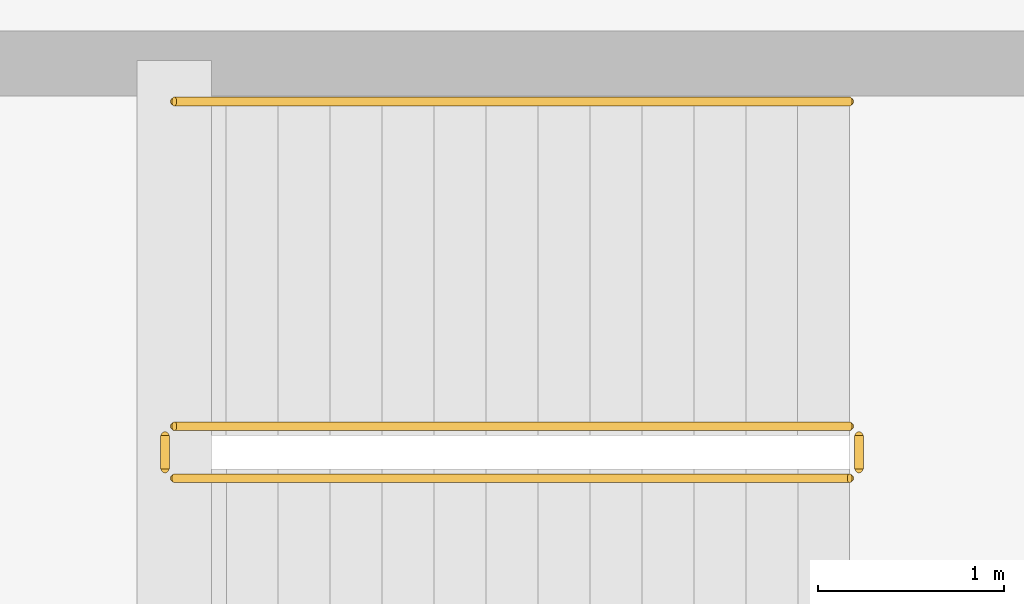
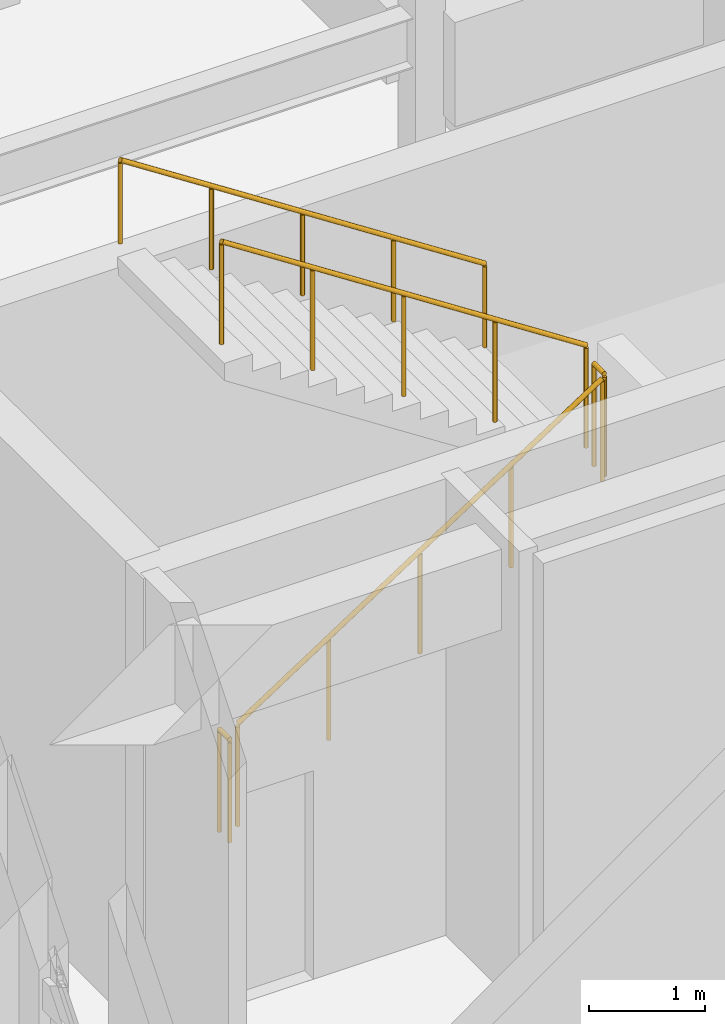
# One storey, part 77 of 78: 5 railings.
"""IFC4 building model written with IfcOpenShell, lengths in metres."""

from ifc_helpers import new_model, si_unit, direction, frame, origin, origin_2d, place, context, subcontext, project, spatial, circle, extrude, material, type_object, element, save


model = new_model("IFC4")

# Units and contexts
model_context = context("Model", 3, precision=1e-05, world=origin(), true_north=direction((0.0, 1.0)))
body_context = subcontext(model_context, "Body", "Model", "MODEL_VIEW")
ifc_project = project(units=[si_unit("LENGTHUNIT", "METRE"), si_unit("AREAUNIT", "SQUARE_METRE"), si_unit("VOLUMEUNIT", "CUBIC_METRE"), si_unit("PLANEANGLEUNIT", "RADIAN"), si_unit("MASSUNIT", "GRAM", prefix="KILO")], contexts=[model_context])

# Site, building, storey
site_placement = place(None, origin())
site = spatial("IfcSite", under=ifc_project, at=site_placement, CompositionType="ELEMENT")
building_placement = place(site_placement, origin())
building = spatial("IfcBuilding", under=site, at=building_placement, Name="Quendrovan Civic Courthouse", CompositionType="ELEMENT")
storey_placement = place(building_placement, frame((0.0, 0.0, 10.199951171875)))
storey = spatial("IfcBuildingStorey", under=building, at=storey_placement, Name="L03", CompositionType="ELEMENT", Elevation=10.199951171875)

# Railings
ifc_material_1 = material(Name="Painted galvanized steel", Category="steel")
railing_type_1 = type_object("IfcRailingType", Name="RL-STR-GUARD1100", PredefinedType="GUARDRAIL", material=ifc_material_1)
railing_1_placement = place(storey_placement, frame((113.25, 97.64990234375, 0.18212890625)))
element("IfcRailing", 1, at=railing_1_placement, inside=storey, type_object=railing_type_1, Name="L03 ST6 stair guard 1", PredefinedType="GUARDRAIL", context=body_context, shape_type="SweptSolid", body=[
    extrude(circle(Radius=0.02392578125, at=origin_2d()), frame((0.0, 0.0, 1.076171875), z_axis=(0.838234174257, 0.0, 0.545310433706), x_axis=(0.0, 1.0, 0.0)), (0.0, 0.0, 1.0), 4.34228515625),
    extrude(circle(Radius=0.02099609375, at=origin_2d()), origin(), (0.0, 0.0, 1.0), 1.052001953125),
    extrude(circle(Radius=0.02099609375, at=origin_2d()), frame((0.909912109375, 0.0, 0.592041015625)), (0.0, 0.0, 1.0), 1.052001953125),
    extrude(circle(Radius=0.02099609375, at=origin_2d()), frame((1.81982421875, 0.0, 1.18408203125)), (0.0, 0.0, 1.0), 1.052001953125),
    extrude(circle(Radius=0.02099609375, at=origin_2d()), frame((2.72998046875, 0.0, 1.77587890625)), (0.0, 0.0, 1.0), 1.052001953125),
    extrude(circle(Radius=0.02099609375, at=origin_2d()), frame((3.639892578125, 0.0, 2.367919921875)), (0.0, 0.0, 1.0), 1.052001953125),
])
railing_2_placement = place(storey_placement, frame((116.93994140625, 97.699951171875, 2.550048828125)))
element("IfcRailing", 2, at=railing_2_placement, inside=storey, type_object=railing_type_1, Name="L03 ST6 stair guard 2", PredefinedType="GUARDRAIL", context=body_context, shape_type="SweptSolid", body=[
    extrude(circle(Radius=0.02392578125, at=origin_2d()), frame((0.0, 0.0, 1.076171875), z_axis=(0.0, 1.0, 0.0), x_axis=(-1.0, 0.0, 0.0)), (0.0, 0.0, 1.0), 0.179931640625),
    extrude(circle(Radius=0.02099609375, at=origin_2d()), origin(), (0.0, 0.0, 1.0), 1.052001953125),
    extrude(circle(Radius=0.02099609375, at=origin_2d()), frame((0.0, 0.179931640625, 0.0)), (0.0, 0.0, 1.0), 1.052001953125),
])
railing_3_placement = place(storey_placement, frame((116.889892578125, 97.929931640625, 2.732177734375)))
element("IfcRailing", 3, at=railing_3_placement, inside=storey, type_object=railing_type_1, Name="L03 ST6 stair guard 3", PredefinedType="GUARDRAIL", context=body_context, shape_type="SweptSolid", body=[
    extrude(circle(Radius=0.02392578125, at=origin_2d()), frame((0.0, 0.0, 1.076171875), z_axis=(-0.838234174257, 0.0, 0.545310433706), x_axis=(0.0, -1.0, 0.0)), (0.0, 0.0, 1.0), 4.34228515625),
    extrude(circle(Radius=0.02099609375, at=origin_2d()), origin(), (0.0, 0.0, 1.0), 1.052001953125),
    extrude(circle(Radius=0.02099609375, at=origin_2d()), frame((-0.909912109375, 0.0, 0.592041015625)), (0.0, 0.0, 1.0), 1.052001953125),
    extrude(circle(Radius=0.02099609375, at=origin_2d()), frame((-1.81982421875, 0.0, 1.18408203125)), (0.0, 0.0, 1.0), 1.052001953125),
    extrude(circle(Radius=0.02099609375, at=origin_2d()), frame((-2.72998046875, 0.0, 1.77587890625)), (0.0, 0.0, 1.0), 1.052001953125),
    extrude(circle(Radius=0.02099609375, at=origin_2d()), frame((-3.639892578125, 0.0, 2.367919921875)), (0.0, 0.0, 1.0), 1.052001953125),
])
railing_4_placement = place(storey_placement, frame((113.199951171875, 97.699951171875, 0.0)))
element("IfcRailing", 4, at=railing_4_placement, inside=storey, type_object=railing_type_1, Name="L03 ST6 stair guard 4", PredefinedType="GUARDRAIL", context=body_context, shape_type="SweptSolid", body=[
    extrude(circle(Radius=0.02392578125, at=origin_2d()), frame((0.0, 0.0, 1.076171875), z_axis=(0.0, 1.0, 0.0), x_axis=(-1.0, 0.0, 0.0)), (0.0, 0.0, 1.0), 0.179931640625),
    extrude(circle(Radius=0.02099609375, at=origin_2d()), origin(), (0.0, 0.0, 1.0), 1.052001953125),
    extrude(circle(Radius=0.02099609375, at=origin_2d()), frame((0.0, 0.179931640625, 0.0)), (0.0, 0.0, 1.0), 1.052001953125),
])
ifc_material_2 = material(Name="Bronze anodised aluminium", Category="aluminium")
railing_type_2 = type_object("IfcRailingType", Name="RL-STR-HAND900", PredefinedType="HANDRAIL", material=ifc_material_2)
railing_5_placement = place(storey_placement, frame((116.889892578125, 99.679931640625, 2.732177734375)))
element("IfcRailing", 5, at=railing_5_placement, inside=storey, type_object=railing_type_2, Name="L03 ST6 stair handrail 2", PredefinedType="HANDRAIL", context=body_context, shape_type="SweptSolid", body=[
    extrude(circle(Radius=0.02392578125, at=origin_2d()), frame((0.0, 0.0, 0.8759765625), z_axis=(-0.838234174257, 0.0, 0.545310433706), x_axis=(0.0, -1.0, 0.0)), (0.0, 0.0, 1.0), 4.34228515625),
    extrude(circle(Radius=0.02099609375, at=origin_2d()), origin(), (0.0, 0.0, 1.0), 0.851806640625),
    extrude(circle(Radius=0.02099609375, at=origin_2d()), frame((-0.909912109375, 0.0, 0.592041015625)), (0.0, 0.0, 1.0), 0.851806640625),
    extrude(circle(Radius=0.02099609375, at=origin_2d()), frame((-1.81982421875, 0.0, 1.18408203125)), (0.0, 0.0, 1.0), 0.851806640625),
    extrude(circle(Radius=0.02099609375, at=origin_2d()), frame((-2.72998046875, 0.0, 1.77587890625)), (0.0, 0.0, 1.0), 0.851806640625),
    extrude(circle(Radius=0.02099609375, at=origin_2d()), frame((-3.639892578125, 0.0, 2.367919921875)), (0.0, 0.0, 1.0), 0.851806640625),
])

save(model, "model.ifc")
